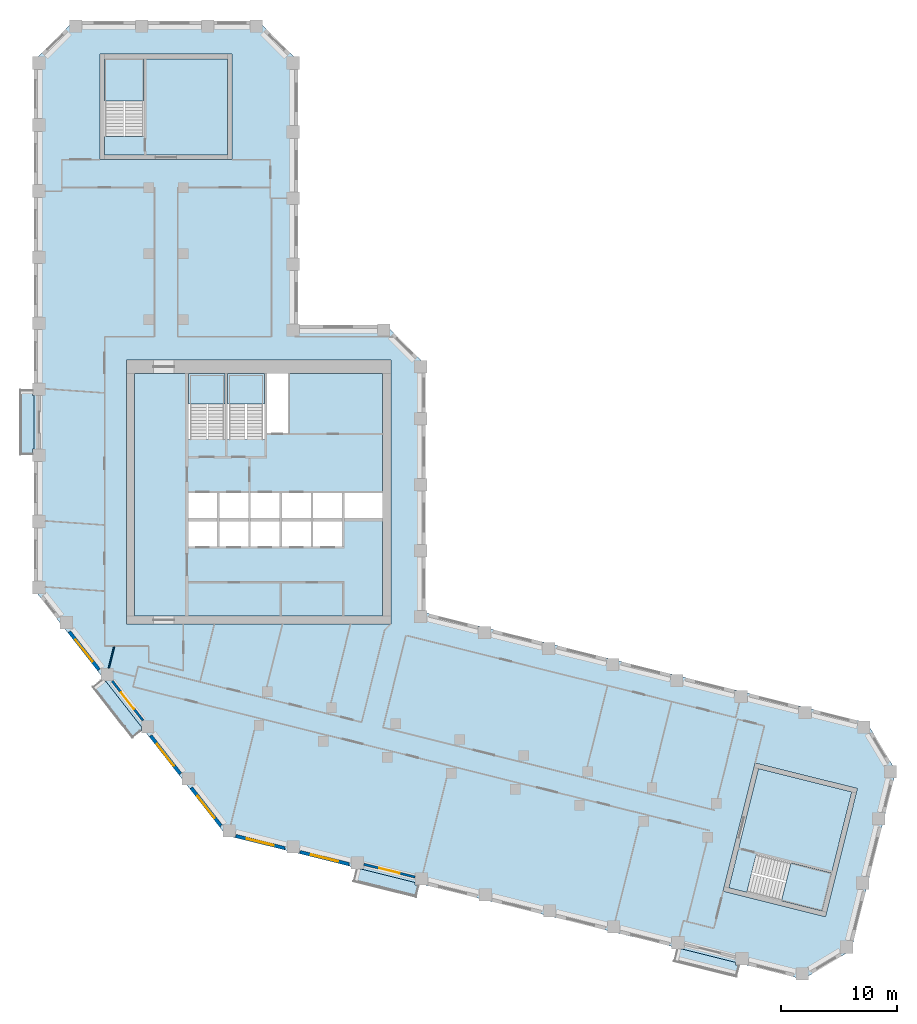
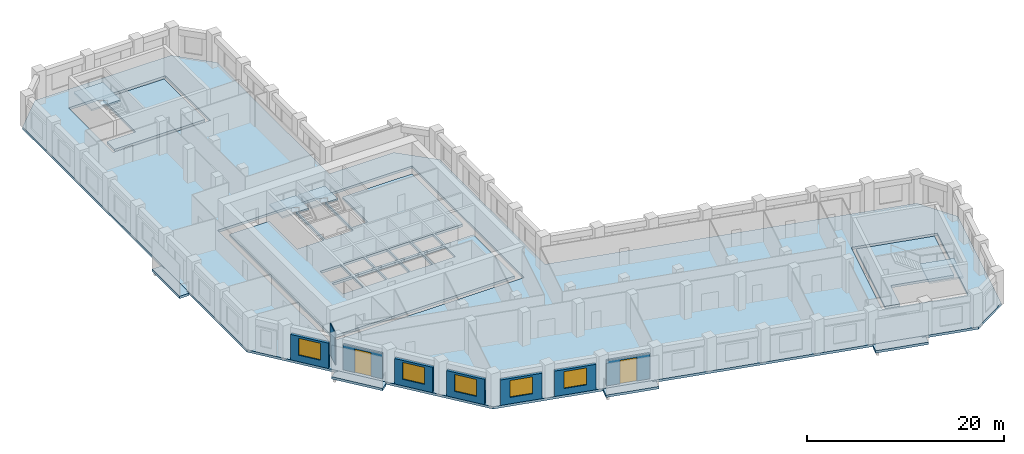
# One storey, part 2 of 10: 12 slabs, 8 walls, 5 windows, 2 doors, 7 openings, 4 elements without a shape of their own.
"""IFC4 building model written with IfcOpenShell, lengths in metres."""

from ifc_helpers import new_model, si_unit, direction, frame, frame_2d, origin, place, context, subcontext, project, spatial, polyline, rectangle, outline, extrude, material, layer, layer_set, type_object, element, fill, aggregate, save


model = new_model("IFC4")

# Units and contexts
model_context = context("Model", 3, precision=1e-05, world=origin(), true_north=direction((0.0, 1.0)))
body_context = subcontext(model_context, "Body", "Model", "MODEL_VIEW")
ifc_project = project(units=[si_unit("LENGTHUNIT", "METRE"), si_unit("AREAUNIT", "SQUARE_METRE"), si_unit("VOLUMEUNIT", "CUBIC_METRE"), si_unit("PLANEANGLEUNIT", "RADIAN"), si_unit("MASSUNIT", "GRAM", prefix="KILO")], contexts=[model_context])

# Site, building, storey
site_placement = place(None, origin())
site = spatial("IfcSite", under=ifc_project, at=site_placement, CompositionType="ELEMENT")
building_placement = place(site_placement, origin())
building = spatial("IfcBuilding", under=site, at=building_placement, Name="Meshkara Civic Tower", CompositionType="ELEMENT")
storey_placement = place(building_placement, frame((0.0, 0.0, 267.60009765625)))
storey = spatial("IfcBuildingStorey", under=building, at=storey_placement, Name="L61", CompositionType="ELEMENT", Elevation=267.60009765625)

# Slabs
ifc_material_1 = material(Name="Concrete C40", Category="concrete")
ifc_layer_1 = layer(ifc_material_1, 0.300048828125)
ifc_layer_set_1 = layer_set([ifc_layer_1], Name="BALCONY SLAB")
slab_type_1 = type_object("IfcSlabType", Name="BALCONY SLAB", PredefinedType="FLOOR", material=ifc_layer_set_1)
slab_1_placement = place(storey_placement, frame((0.0, 0.0, -0.300048828125)))
element("IfcSlab", 1, at=slab_1_placement, inside=storey, type_object=slab_type_1, Name="Balcony slab", PredefinedType="FLOOR", context=body_context, shape_type="SweptSolid", body=[
    extrude(outline(polyline([(-1.199951171875, 28.715087890625), (-1.199951171875, 34.294921875), (-0.10009765625, 34.294921875), (-0.10009765625, 33.804931640625), (0.0, 33.804931640625), (0.0, 29.205078125), (-0.10009765625, 29.205078125), (-0.10009765625, 28.715087890625), (-1.199951171875, 28.715087890625)])), origin(), (0.0, 0.0, 1.0), 0.300048828125),
])
slab_2_placement = place(storey_placement, frame((0.0, 0.0, -0.300048828125)))
element("IfcSlab", 2, at=slab_2_placement, inside=storey, type_object=slab_type_1, Name="Balcony slab", PredefinedType="FLOOR", context=body_context, shape_type="SweptSolid", body=[
    extrude(outline(polyline([(8.49609375, 4.27587890625), (5.06005859375, 8.674072265625), (5.77294921875, 9.23095703125), (5.77294921875, 9.18701171875), (6.181884765625, 9.18701171875), (9.282958984375, 5.218017578125), (9.282958984375, 4.89111328125), (8.49609375, 4.27587890625)])), origin(), (0.0, 0.0, 1.0), 0.300048828125),
])
slab_3_placement = place(storey_placement, frame((0.0, 0.0, -0.300048828125)))
element("IfcSlab", 3, at=slab_3_placement, inside=storey, type_object=slab_type_1, Name="Balcony slab", PredefinedType="FLOOR", context=body_context, shape_type="SweptSolid", body=[
    extrude(outline(polyline([(32.986083984375, -9.4609375), (27.571044921875, -8.111083984375), (27.8369140625, -7.0458984375), (28.260009765625, -7.0458984375), (32.89306640625, -8.200927734375), (32.89306640625, -8.425048828125), (33.243896484375, -8.425048828125), (32.986083984375, -9.4609375)])), origin(), (0.0, 0.0, 1.0), 0.300048828125),
])
slab_4_placement = place(storey_placement, frame((0.0, 0.0, -0.300048828125)))
element("IfcSlab", 4, at=slab_4_placement, inside=storey, type_object=slab_type_1, Name="Balcony slab", PredefinedType="FLOOR", context=body_context, shape_type="SweptSolid", body=[
    extrude(outline(polyline([(60.639892578125, -16.35595703125), (55.22509765625, -15.006103515625), (55.490966796875, -13.93994140625), (55.910888671875, -13.93994140625), (60.547119140625, -15.095947265625), (60.547119140625, -15.319091796875), (60.89794921875, -15.319091796875), (60.639892578125, -16.35595703125)])), origin(), (0.0, 0.0, 1.0), 0.300048828125),
])
ifc_material_2 = material(Name="Concrete C40/50", Category="concrete")
ifc_layer_2 = layer(ifc_material_2, 0.300048828125)
ifc_layer_set_2 = layer_set([ifc_layer_2], Name="Core floor slab 300 C40/50")
slab_type_2 = type_object("IfcSlabType", Name="Core floor slab 300 C40/50", PredefinedType="FLOOR", material=ifc_layer_set_2)
slab_5_placement = place(storey_placement, frame((0.0, 0.0, -0.300048828125)))
element("IfcSlab", 5, at=slab_5_placement, inside=storey, type_object=slab_type_2, Name="Core floor K", PredefinedType="FLOOR", context=body_context, shape_type="SweptSolid", body=[
    extrude(outline(polyline([(8.699951171875, 35.699951171875), (13.35009765625, 35.699951171875), (13.35009765625, 30.00146484375), (16.5, 30.00146484375), (16.5, 35.699951171875), (16.699951171875, 35.699951171875), (16.699951171875, 30.00146484375), (19.89990234375, 30.00146484375), (19.89990234375, 35.699951171875), (20.10009765625, 35.699951171875), (20.10009765625, 30.574951171875), (21.925048828125, 30.574951171875), (21.925048828125, 35.699951171875), (30.10009765625, 35.699951171875), (30.10009765625, 25.39990234375), (26.800048828125, 25.39990234375), (26.800048828125, 23.25), (30.10009765625, 23.25), (30.10009765625, 14.800048828125), (8.699951171875, 14.800048828125), (8.699951171875, 35.699951171875)]), holes=[polyline([(15.800048828125, 22.949951171875), (13.35009765625, 22.949951171875), (13.35009765625, 20.800048828125), (15.800048828125, 20.800048828125), (15.800048828125, 22.949951171875)]), polyline([(16.0, 22.949951171875), (16.0, 20.800048828125), (18.5, 20.800048828125), (18.5, 22.949951171875), (16.0, 22.949951171875)]), polyline([(18.699951171875, 22.949951171875), (18.699951171875, 20.800048828125), (21.199951171875, 20.800048828125), (21.199951171875, 22.949951171875), (18.699951171875, 22.949951171875)]), polyline([(15.800048828125, 23.25), (15.800048828125, 25.39990234375), (13.35009765625, 25.39990234375), (13.35009765625, 23.25), (15.800048828125, 23.25)]), polyline([(16.0, 25.39990234375), (16.0, 23.25), (18.5, 23.25), (18.5, 25.39990234375), (16.0, 25.39990234375)]), polyline([(23.89990234375, 20.800048828125), (23.89990234375, 22.949951171875), (21.39990234375, 22.949951171875), (21.39990234375, 20.800048828125), (23.89990234375, 20.800048828125)]), polyline([(24.10009765625, 20.800048828125), (26.60009765625, 20.800048828125), (26.60009765625, 22.949951171875), (24.10009765625, 22.949951171875), (24.10009765625, 20.800048828125)]), polyline([(18.699951171875, 25.39990234375), (18.699951171875, 23.25), (21.199951171875, 23.25), (21.199951171875, 25.39990234375), (18.699951171875, 25.39990234375)]), polyline([(21.39990234375, 23.25), (23.89990234375, 23.25), (23.89990234375, 25.39990234375), (21.39990234375, 25.39990234375), (21.39990234375, 23.25)]), polyline([(26.60009765625, 23.25), (26.60009765625, 25.39990234375), (24.10009765625, 25.39990234375), (24.10009765625, 23.25), (26.60009765625, 23.25)])]), origin(), (0.0, 0.0, 1.0), 0.300048828125),
])
slab_6_placement = place(storey_placement, frame((0.0, 0.0, -0.300048828125)))
element("IfcSlab", 6, at=slab_6_placement, inside=storey, type_object=slab_type_2, Name="Core floor EA", PredefinedType="FLOOR", context=body_context, shape_type="SweptSolid", body=[
    extrude(outline(polyline([(16.699951171875, 54.570068359375), (16.699951171875, 62.8701171875), (9.5, 62.8701171875), (9.5, 56.17138671875), (6.10009765625, 56.17138671875), (6.10009765625, 54.570068359375), (16.699951171875, 54.570068359375)])), origin(), (0.0, 0.0, 1.0), 0.300048828125),
])
slab_7_placement = place(storey_placement, frame((0.0, 0.0, -0.300048828125)))
element("IfcSlab", 7, at=slab_7_placement, inside=storey, type_object=slab_type_2, Name="Core floor EB", PredefinedType="FLOOR", context=body_context, shape_type="SweptSolid", body=[
    extrude(outline(polyline([(62.519775390625, 1.623291015625), (70.5732421875, -0.384765625), (68.83154296875, -7.370849609375), (62.33203125, -5.750244140625), (61.50927734375, -9.04931640625), (59.95556640625, -8.661865234375), (62.519775390625, 1.623291015625)])), origin(), (0.0, 0.0, 1.0), 0.300048828125),
])

# Stair, slab
ifc_material_3 = material(Name="Precast concrete C40/50", Category="concrete")
stair_type_1 = type_object("IfcStairType", Name="Exit stair half-turn 24 risers precast", PredefinedType="HALF_TURN_STAIR", material=ifc_material_3)
stair_1_placement = place(storey_placement, origin())
stair_1 = element("IfcStair", 8, at=stair_1_placement, inside=storey, type_object=stair_type_1, Name="L61 exit stair 1", PredefinedType="HALF_TURN_STAIR")
ifc_material_4 = material(Name="Precast concrete C40/50", Category="concrete")
ifc_layer_3 = layer(ifc_material_4, 0.199951171875)
ifc_layer_set_3 = layer_set([ifc_layer_3], Name="Exit stair landing 200")
slab_type_3 = type_object("IfcSlabType", Name="Exit stair landing 200", PredefinedType="LANDING", material=ifc_layer_set_3)
slab_8_placement = place(storey_placement, frame((0.0, 0.0, 1.89990234375)))
slab_8 = element("IfcSlab", 9, at=slab_8_placement, type_object=slab_type_3, Name="ST1 landing 1", PredefinedType="LANDING", context=body_context, shape_type="SweptSolid", body=[
    extrude(outline(polyline([(16.5, 33.07861328125), (16.5, 35.699951171875), (13.35009765625, 35.699951171875), (13.35009765625, 33.07861328125), (16.5, 33.07861328125)])), origin(), (0.0, 0.0, 1.0), 0.199951171875),
])
aggregate(stair_1, [slab_8])

stair_2_placement = place(storey_placement, origin())
stair_2 = element("IfcStair", 10, at=stair_2_placement, inside=storey, type_object=stair_type_1, Name="L61 exit stair 2", PredefinedType="HALF_TURN_STAIR")
slab_9_placement = place(storey_placement, frame((0.0, 0.0, 1.89990234375)))
slab_9 = element("IfcSlab", 11, at=slab_9_placement, type_object=slab_type_3, Name="ST2 landing 1", PredefinedType="LANDING", context=body_context, shape_type="SweptSolid", body=[
    extrude(outline(polyline([(19.89990234375, 33.07861328125), (19.89990234375, 35.699951171875), (16.699951171875, 35.699951171875), (16.699951171875, 33.07861328125), (19.89990234375, 33.07861328125)])), origin(), (0.0, 0.0, 1.0), 0.199951171875),
])
aggregate(stair_2, [slab_9])

ifc_material_5 = material(Name="Precast concrete C40/50", Category="concrete")
stair_type_2 = type_object("IfcStairType", Name="Exit stair half-turn 24 risers 1600 precast", PredefinedType="HALF_TURN_STAIR", material=ifc_material_5)
stair_3_placement = place(storey_placement, origin())
stair_3 = element("IfcStair", 12, at=stair_3_placement, inside=storey, type_object=stair_type_2, Name="L61 exit stair A from L50", PredefinedType="HALF_TURN_STAIR")
slab_10_placement = place(storey_placement, frame((0.0, 0.0, 1.89990234375)))
slab_10 = element("IfcSlab", 13, at=slab_10_placement, type_object=slab_type_3, Name="ESA4 landing 1", PredefinedType="LANDING", context=body_context, shape_type="SweptSolid", body=[
    extrude(outline(polyline([(9.5, 59.24853515625), (9.5, 62.8701171875), (6.10009765625, 62.8701171875), (6.10009765625, 59.24853515625), (9.5, 59.24853515625)])), origin(), (0.0, 0.0, 1.0), 0.199951171875),
])
aggregate(stair_3, [slab_10])

stair_4_placement = place(storey_placement, origin())
stair_4 = element("IfcStair", 14, at=stair_4_placement, inside=storey, type_object=stair_type_2, Name="L61 exit stair B from L50", PredefinedType="HALF_TURN_STAIR")
slab_11_placement = place(storey_placement, frame((0.0, 0.0, 1.89990234375)))
slab_11 = element("IfcSlab", 15, at=slab_11_placement, type_object=slab_type_3, Name="ESB4 landing 1", PredefinedType="LANDING", context=body_context, shape_type="SweptSolid", body=[
    extrude(outline(polyline([(64.49462890625, -9.794677734375), (68.0087890625, -10.67138671875), (68.83203125, -7.371337890625), (65.318115234375, -6.49462890625), (64.49462890625, -9.794677734375)])), origin(), (0.0, 0.0, 1.0), 0.199951171875),
])
aggregate(stair_4, [slab_11])

# Slab
ifc_material_6 = material(Name="Concrete C50", Category="concrete")
ifc_layer_4 = layer(ifc_material_6, 0.300048828125)
ifc_layer_set_4 = layer_set([ifc_layer_4], Name="Post-tensioned flat slab 300 C50")
slab_type_4 = type_object("IfcSlabType", Name="Post-tensioned flat slab 300 C50", PredefinedType="FLOOR", material=ifc_layer_set_4)
slab_12_placement = place(storey_placement, frame((0.0, 0.0, -0.300048828125)))
element("IfcSlab", 16, at=slab_12_placement, inside=storey, type_object=slab_type_4, Name="Post-tensioned flat slab L61", PredefinedType="FLOOR", context=body_context, shape_type="SweptSolid", body=[
    extrude(outline(polyline([(70.513916015625, -14.055908203125), (66.367919921875, -16.547119140625), (16.592041015625, -4.136962890625), (0.0, 17.10009765625), (0.0, 62.699951171875), (3.419921875, 66.1201171875), (19.3798828125, 66.1201171875), (22.800048828125, 62.699951171875), (22.800048828125, 39.89990234375), (30.3798828125, 39.89990234375), (33.800048828125, 36.47998046875), (33.800048828125, 15.071044921875), (71.884033203125, 5.574951171875), (74.375, 1.429931640625), (70.513916015625, -14.055908203125)]), holes=[polyline([(68.300048828125, -11.155029296875), (71.05810546875, -0.093017578125), (62.22802734375, 2.10791015625), (59.470947265625, -8.952880859375), (68.300048828125, -11.155029296875)]), polyline([(8.0, 14.10009765625), (30.800048828125, 14.10009765625), (30.800048828125, 36.89990234375), (8.0, 36.89990234375), (8.0, 14.10009765625)]), polyline([(5.699951171875, 63.27001953125), (5.699951171875, 54.169921875), (17.10009765625, 54.169921875), (17.10009765625, 63.27001953125), (5.699951171875, 63.27001953125)])]), origin(), (0.0, 0.0, 1.0), 0.300048828125),
])

# Wall, opening, window
ifc_material_7 = material(Name="Insulated infill panel with bronze anodised aluminium cladding", Category="aluminium")
ifc_layer_5 = layer(ifc_material_7, 0.300048828125)
ifc_layer_set_5 = layer_set([ifc_layer_5], Name="EXTERNAL INFILL WALL 300")
wall_type_1 = type_object("IfcWallType", Name="EXTERNAL INFILL WALL 300", PredefinedType="SOLIDWALL", material=ifc_layer_set_5)
wall_1_placement = place(storey_placement, frame((3.052978515625, 13.43603515625, 0.0), z_axis=(0.0, 0.0, 1.0), x_axis=(0.615699893917, -0.787980736205, 0.0)))
wall_1 = element("IfcWall", 17, at=wall_1_placement, inside=storey, type_object=wall_type_1, Name="External wall", PredefinedType="SOLIDWALL", context=body_context, shape_type="SweptSolid", body=[
    extrude(rectangle(XDim=4.156494140625, YDim=0.300048828125, at=frame_2d((2.078125, 0.0))), origin(), (0.0, 0.0, 1.0), 3.14990234375),
])
opening_1_placement = place(wall_1_placement, frame((0.8779296875, 0.0, 0.800048828125)))
opening_1 = element("IfcOpeningElement", 18, at=opening_1_placement, cuts=wall_1, Name="Opening W7", PredefinedType="OPENING", context=body_context, shape_type="SweptSolid", body=[
    extrude(rectangle(XDim=2.39990234375, YDim=2.10009765625, at=frame_2d((1.199951171875, 1.050048828125))), frame((0.0, 0.159912109375, 0.0), z_axis=(0.0, -1.0, 0.0), x_axis=(1.0, 0.0, 0.0)), (0.0, 0.0, 1.0), 0.320068359375),
])
ifc_material_8 = material(Name="Tinted double glazing", Category="glass")
window_type = type_object("IfcWindowType", Name="WINDOW 2400x2100", PartitioningType="DOUBLE_PANEL_VERTICAL", PredefinedType="WINDOW", material=ifc_material_8)
window_1_placement = place(opening_1_placement, origin())
window_1 = element("IfcWindow", 19, at=window_1_placement, inside=storey, type_object=window_type, Name="Window", OverallHeight=2.10009765625, OverallWidth=2.39990234375, PartitioningType="DOUBLE_PANEL_VERTICAL", PredefinedType="WINDOW", context=body_context, shape_type="SweptSolid", body=[
    extrude(rectangle(XDim=2.39990234375, YDim=2.10009765625, at=frame_2d((1.199951171875, 1.050048828125))), frame((0.0, 0.030029296875, 0.0), z_axis=(0.0, -1.0, 0.0), x_axis=(1.0, 0.0, 0.0)), (0.0, 0.0, 1.0), 0.06005859375),
])
fill(opening_1, window_1)

wall_2_placement = place(storey_placement, frame((10.072021484375, 4.451904296875, 0.0), z_axis=(0.0, 0.0, 1.0), x_axis=(0.615660006568, -0.788011901124, 0.0)))
wall_2 = element("IfcWall", 20, at=wall_2_placement, inside=storey, type_object=wall_type_1, Name="External wall", PredefinedType="SOLIDWALL", context=body_context, shape_type="SweptSolid", body=[
    extrude(rectangle(XDim=4.15478515625, YDim=0.300048828125, at=frame_2d((2.077392578125, 0.0))), origin(), (0.0, 0.0, 1.0), 3.14990234375),
])
opening_2_placement = place(wall_2_placement, frame((0.8779296875, 0.0, 0.800048828125)))
opening_2 = element("IfcOpeningElement", 21, at=opening_2_placement, cuts=wall_2, Name="Opening W7", PredefinedType="OPENING", context=body_context, shape_type="SweptSolid", body=[
    extrude(rectangle(XDim=2.39990234375, YDim=2.10009765625, at=frame_2d((1.199951171875, 1.050048828125))), frame((0.0, 0.159912109375, 0.0), z_axis=(0.0, -1.0, 0.0), x_axis=(1.0, 0.0, 0.0)), (0.0, 0.0, 1.0), 0.320068359375),
])
window_2_placement = place(opening_2_placement, origin())
window_2 = element("IfcWindow", 22, at=window_2_placement, inside=storey, type_object=window_type, Name="Window", OverallHeight=2.10009765625, OverallWidth=2.39990234375, PartitioningType="DOUBLE_PANEL_VERTICAL", PredefinedType="WINDOW", context=body_context, shape_type="SweptSolid", body=[
    extrude(rectangle(XDim=2.39990234375, YDim=2.10009765625, at=frame_2d((1.199951171875, 1.050048828125))), frame((0.0, 0.030029296875, 0.0), z_axis=(0.0, -1.0, 0.0), x_axis=(1.0, 0.0, 0.0)), (0.0, 0.0, 1.0), 0.06005859375),
])
fill(opening_2, window_2)

wall_3_placement = place(storey_placement, frame((13.5810546875, -0.0390625, 0.0), z_axis=(0.0, 0.0, 1.0), x_axis=(0.615545986363, -0.788100969846, 0.0)))
wall_3 = element("IfcWall", 23, at=wall_3_placement, inside=storey, type_object=wall_type_1, Name="External wall", PredefinedType="SOLIDWALL", context=body_context, shape_type="SweptSolid", body=[
    extrude(rectangle(XDim=4.155517578125, YDim=0.300048828125, at=frame_2d((2.07763671875, 0.0))), origin(), (0.0, 0.0, 1.0), 3.14990234375),
])
opening_3_placement = place(wall_3_placement, frame((0.8779296875, 0.0, 0.800048828125)))
opening_3 = element("IfcOpeningElement", 24, at=opening_3_placement, cuts=wall_3, Name="Opening W7", PredefinedType="OPENING", context=body_context, shape_type="SweptSolid", body=[
    extrude(rectangle(XDim=2.39990234375, YDim=2.10009765625, at=frame_2d((1.199951171875, 1.050048828125))), frame((0.0, 0.159912109375, 0.0), z_axis=(0.0, -1.0, 0.0), x_axis=(1.0, 0.0, 0.0)), (0.0, 0.0, 1.0), 0.320068359375),
])
window_3_placement = place(opening_3_placement, origin())
window_3 = element("IfcWindow", 25, at=window_3_placement, inside=storey, type_object=window_type, Name="Window", OverallHeight=2.10009765625, OverallWidth=2.39990234375, PartitioningType="DOUBLE_PANEL_VERTICAL", PredefinedType="WINDOW", context=body_context, shape_type="SweptSolid", body=[
    extrude(rectangle(XDim=2.39990234375, YDim=2.10009765625, at=frame_2d((1.199951171875, 1.050048828125))), frame((0.0, 0.030029296875, 0.0), z_axis=(0.0, -1.0, 0.0), x_axis=(1.0, 0.0, 0.0)), (0.0, 0.0, 1.0), 0.06005859375),
])
fill(opening_3, window_3)

wall_4_placement = place(storey_placement, frame((17.425048828125, -4.18994140625, 0.0), z_axis=(0.0, 0.0, 1.0), x_axis=(0.970270592847, -0.242022677978, 0.0)))
wall_4 = element("IfcWall", 26, at=wall_4_placement, inside=storey, type_object=wall_type_1, Name="External wall", PredefinedType="SOLIDWALL", context=body_context, shape_type="SweptSolid", body=[
    extrude(rectangle(XDim=4.367919921875, YDim=0.300048828125, at=frame_2d((2.18408203125, 0.0))), origin(), (0.0, 0.0, 1.0), 3.14990234375),
])
opening_4_placement = place(wall_4_placement, frame((0.98291015625, 0.0, 0.800048828125)))
opening_4 = element("IfcOpeningElement", 27, at=opening_4_placement, cuts=wall_4, Name="Opening W7", PredefinedType="OPENING", context=body_context, shape_type="SweptSolid", body=[
    extrude(rectangle(XDim=2.39990234375, YDim=2.10009765625, at=frame_2d((1.199951171875, 1.050048828125))), frame((0.0, 0.159912109375, 0.0), z_axis=(0.0, -1.0, 0.0), x_axis=(1.0, 0.0, 0.0)), (0.0, 0.0, 1.0), 0.320068359375),
])
window_4_placement = place(opening_4_placement, origin())
window_4 = element("IfcWindow", 28, at=window_4_placement, inside=storey, type_object=window_type, Name="Window", OverallHeight=2.10009765625, OverallWidth=2.39990234375, PartitioningType="DOUBLE_PANEL_VERTICAL", PredefinedType="WINDOW", context=body_context, shape_type="SweptSolid", body=[
    extrude(rectangle(XDim=2.39990234375, YDim=2.10009765625, at=frame_2d((1.199951171875, 1.050048828125))), frame((0.0, 0.030029296875, 0.0), z_axis=(0.0, -1.0, 0.0), x_axis=(1.0, 0.0, 0.0)), (0.0, 0.0, 1.0), 0.06005859375),
])
fill(opening_4, window_4)

wall_5_placement = place(storey_placement, frame((22.9560546875, -5.569091796875, 0.0), z_axis=(0.0, 0.0, 1.0), x_axis=(0.970323116569, -0.241812012628, 0.0)))
wall_5 = element("IfcWall", 29, at=wall_5_placement, inside=storey, type_object=wall_type_1, Name="External wall", PredefinedType="SOLIDWALL", context=body_context, shape_type="SweptSolid", body=[
    extrude(rectangle(XDim=4.36669921875, YDim=0.300048828125, at=frame_2d((2.183349609375, 0.0))), origin(), (0.0, 0.0, 1.0), 3.14990234375),
])
opening_5_placement = place(wall_5_placement, frame((0.98291015625, 0.0, 0.800048828125)))
opening_5 = element("IfcOpeningElement", 30, at=opening_5_placement, cuts=wall_5, Name="Opening W7", PredefinedType="OPENING", context=body_context, shape_type="SweptSolid", body=[
    extrude(rectangle(XDim=2.39990234375, YDim=2.10009765625, at=frame_2d((1.199951171875, 1.050048828125))), frame((0.0, 0.159912109375, 0.0), z_axis=(0.0, -1.0, 0.0), x_axis=(1.0, 0.0, 0.0)), (0.0, 0.0, 1.0), 0.320068359375),
])
window_5_placement = place(opening_5_placement, origin())
window_5 = element("IfcWindow", 31, at=window_5_placement, inside=storey, type_object=window_type, Name="Window", OverallHeight=2.10009765625, OverallWidth=2.39990234375, PartitioningType="DOUBLE_PANEL_VERTICAL", PredefinedType="WINDOW", context=body_context, shape_type="SweptSolid", body=[
    extrude(rectangle(XDim=2.39990234375, YDim=2.10009765625, at=frame_2d((1.199951171875, 1.050048828125))), frame((0.0, 0.030029296875, 0.0), z_axis=(0.0, -1.0, 0.0), x_axis=(1.0, 0.0, 0.0)), (0.0, 0.0, 1.0), 0.06005859375),
])
fill(opening_5, window_5)

# Wall, opening, door
ifc_material_9 = material(Name="Insulated infill panel with bronze anodised aluminium cladding", Category="aluminium")
ifc_layer_6 = layer(ifc_material_9, 0.199951171875)
ifc_layer_set_6 = layer_set([ifc_layer_6], Name="LOGGIA BACK WALL 200")
wall_type_2 = type_object("IfcWallType", Name="LOGGIA BACK WALL 200", PredefinedType="SOLIDWALL", material=ifc_layer_set_6)
wall_6_placement = place(storey_placement, frame((6.75390625, 9.18701171875, 0.0), z_axis=(0.0, 0.0, 1.0), x_axis=(0.615514142447, -0.78812584049, 0.0)))
wall_6 = element("IfcWall", 32, at=wall_6_placement, inside=storey, type_object=wall_type_2, Name="Loggia wall", PredefinedType="SOLIDWALL", context=body_context, shape_type="SweptSolid", body=[
    extrude(rectangle(XDim=4.303955078125, YDim=0.199951171875, at=frame_2d((2.15185546875, 0.0))), origin(), (0.0, 0.0, 1.0), 3.14990234375),
])
opening_6_placement = place(wall_6_placement, frame((1.251953125, 0.0, 0.0)))
opening_6 = element("IfcOpeningElement", 33, at=opening_6_placement, cuts=wall_6, Name="Opening L61-L002", PredefinedType="OPENING", context=body_context, shape_type="SweptSolid", body=[
    extrude(rectangle(XDim=1.800048828125, YDim=2.89990234375, at=frame_2d((0.89990234375, 1.449951171875))), frame((0.0, 0.10986328125, 0.0), z_axis=(0.0, -1.0, 0.0), x_axis=(1.0, 0.0, 0.0)), (0.0, 0.0, 1.0), 0.219970703125),
])
ifc_material_10 = material(Name="Tinted double glazing", Category="glass")
door_type = type_object("IfcDoorType", Name="LOGGIA DOOR 1800x2900", OperationType="DOUBLE_DOOR_SINGLE_SWING", PredefinedType="DOOR", material=ifc_material_10)
door_1_placement = place(opening_6_placement, origin())
door_1 = element("IfcDoor", 34, at=door_1_placement, inside=storey, type_object=door_type, Name="L61-L002", OperationType="DOUBLE_DOOR_SINGLE_SWING", OverallHeight=2.89990234375, OverallWidth=1.800048828125, PredefinedType="DOOR", context=body_context, shape_type="SweptSolid", body=[
    extrude(rectangle(XDim=1.800048828125, YDim=2.89990234375, at=frame_2d((0.89990234375, 1.449951171875))), frame((0.0, 0.02490234375, 0.0), z_axis=(0.0, -1.0, 0.0), x_axis=(1.0, 0.0, 0.0)), (0.0, 0.0, 1.0), 0.050048828125),
])
fill(opening_6, door_1)

wall_7_placement = place(storey_placement, frame((28.4619140625, -6.633056640625, 0.0), z_axis=(0.0, 0.0, 1.0), x_axis=(0.970337166083, -0.241755628927, 0.0)))
wall_7 = element("IfcWall", 35, at=wall_7_placement, inside=storey, type_object=wall_type_2, Name="Loggia wall", PredefinedType="SOLIDWALL", context=body_context, shape_type="SweptSolid", body=[
    extrude(rectangle(XDim=4.566650390625, YDim=0.199951171875, at=frame_2d((2.283203125, 0.0))), origin(), (0.0, 0.0, 1.0), 3.14990234375),
])
opening_7_placement = place(wall_7_placement, frame((1.383056640625, 0.0, 0.0)))
opening_7 = element("IfcOpeningElement", 36, at=opening_7_placement, cuts=wall_7, Name="Opening L61-L003", PredefinedType="OPENING", context=body_context, shape_type="SweptSolid", body=[
    extrude(rectangle(XDim=1.800048828125, YDim=2.89990234375, at=frame_2d((0.89990234375, 1.449951171875))), frame((0.0, 0.10986328125, 0.0), z_axis=(0.0, -1.0, 0.0), x_axis=(1.0, 0.0, 0.0)), (0.0, 0.0, 1.0), 0.219970703125),
])
door_2_placement = place(opening_7_placement, origin())
door_2 = element("IfcDoor", 37, at=door_2_placement, inside=storey, type_object=door_type, Name="L61-L003", OperationType="DOUBLE_DOOR_SINGLE_SWING", OverallHeight=2.89990234375, OverallWidth=1.800048828125, PredefinedType="DOOR", context=body_context, shape_type="SweptSolid", body=[
    extrude(rectangle(XDim=1.800048828125, YDim=2.89990234375, at=frame_2d((0.89990234375, 1.449951171875))), frame((0.0, 0.02490234375, 0.0), z_axis=(0.0, -1.0, 0.0), x_axis=(1.0, 0.0, 0.0)), (0.0, 0.0, 1.0), 0.050048828125),
])
fill(opening_7, door_2)

# Wall
ifc_material_11 = material(Name="Partition 100")
ifc_layer_7 = layer(ifc_material_11, 0.10009765625)
ifc_layer_set_7 = layer_set([ifc_layer_7], Name="Partition 100")
wall_type_3 = type_object("IfcWallType", Name="Partition 100", PredefinedType="PARTITIONING", material=ifc_layer_set_7)
wall_8_placement = place(storey_placement, frame((6.922119140625, 12.137939453125, 0.0), z_axis=(0.0, 0.0, 1.0), x_axis=(-0.242264600824, -0.970210215978, 0.0)))
element("IfcWall", 38, at=wall_8_placement, inside=storey, type_object=wall_type_3, Name="L61-W039", PredefinedType="PARTITIONING", context=body_context, shape_type="SweptSolid", body=[
    extrude(rectangle(XDim=1.90771484375, YDim=0.10009765625, at=frame_2d((0.953857421875, 0.0))), origin(), (0.0, 0.0, 1.0), 3.89990234375),
])

save(model, "model.ifc")
